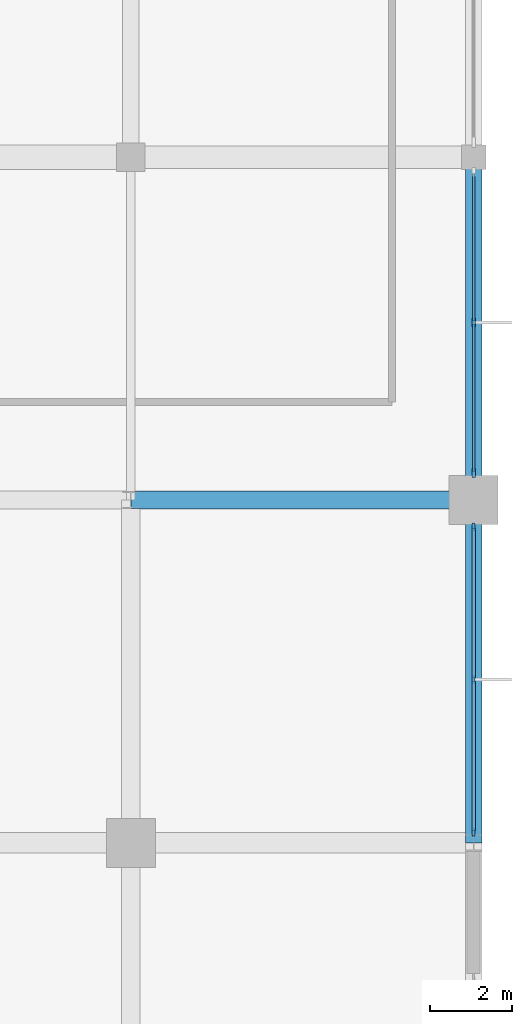
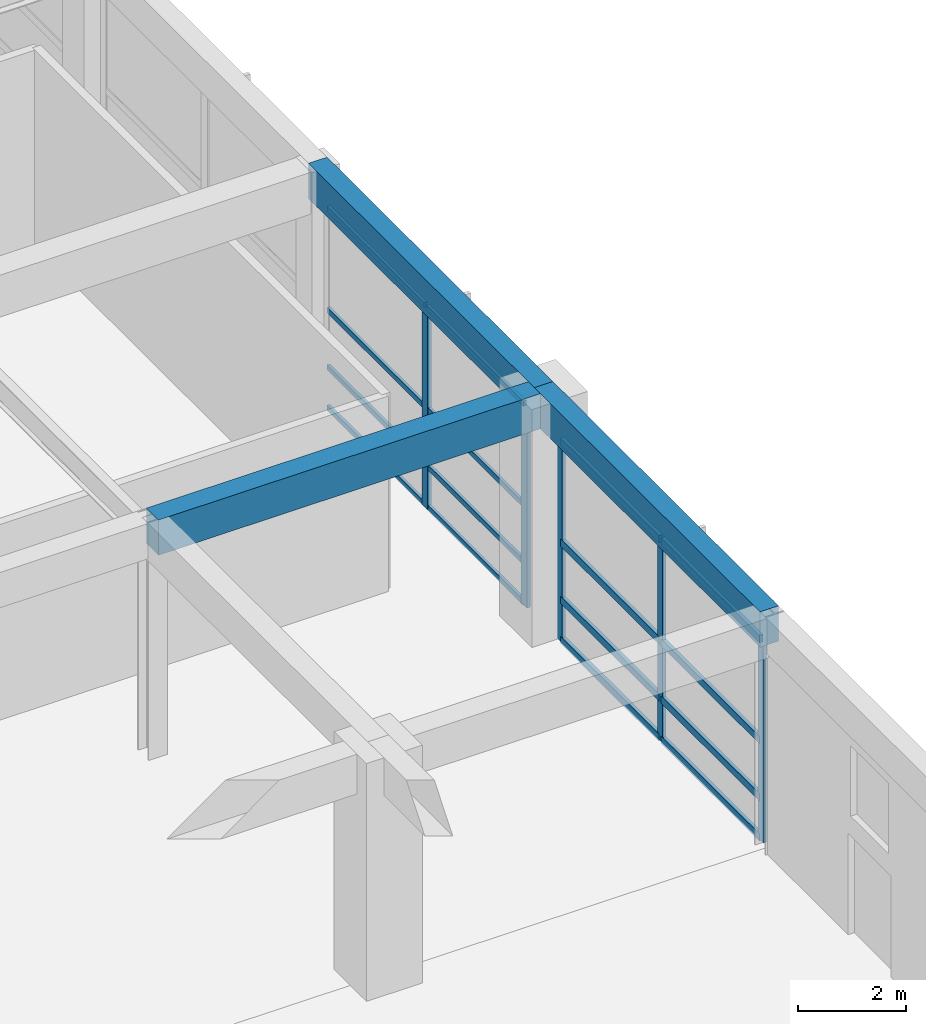
# One storey, part 33 of 62: 21 members, 3 beams, 2 elements without a shape of their own.
"""IFC4 building model written with IfcOpenShell, lengths in metres."""

from ifc_helpers import new_model, si_unit, direction, frame, origin, origin_2d, place, context, subcontext, project, spatial, rectangle, extrude, material, material_profile, profile_set, type_object, element, aggregate, save


model = new_model("IFC4")

# Units and contexts
model_context = context("Model", 3, precision=1e-05, world=origin(), true_north=direction((0.0, 1.0)))
body_context = subcontext(model_context, "Body", "Model", "MODEL_VIEW")
ifc_project = project(units=[si_unit("LENGTHUNIT", "METRE"), si_unit("AREAUNIT", "SQUARE_METRE"), si_unit("VOLUMEUNIT", "CUBIC_METRE"), si_unit("PLANEANGLEUNIT", "RADIAN"), si_unit("MASSUNIT", "GRAM", prefix="KILO")], contexts=[model_context])

# Site, building, storey
site_placement = place(None, origin())
site = spatial("IfcSite", under=ifc_project, at=site_placement, CompositionType="ELEMENT")
building_placement = place(site_placement, origin())
building = spatial("IfcBuilding", under=site, at=building_placement, Name="Xuanlan Plaza Opera House", CompositionType="ELEMENT")
storey_placement = place(building_placement, origin())
storey = spatial("IfcBuildingStorey", under=building, at=storey_placement, Name="L00", CompositionType="ELEMENT", Elevation=0.0)

# Curtain wall, members
ifc_material_1 = material(Name="Anodised Aluminium 6063-T6 and Low-E Glass", Category="aluminium")
curtain_wall_type_1 = type_object("IfcCurtainWallType", Name="ENV-CW-CW-04", PredefinedType="USERDEFINED", material=ifc_material_1)
curtain_wall_1_placement = place(storey_placement, origin())
curtain_wall_1 = element("IfcCurtainWall", 1, at=curtain_wall_1_placement, inside=storey, type_object=curtain_wall_type_1, Name="Unitised Curtain Wall L00-026", ObjectType="UNITISED CURTAIN WALL", PredefinedType="USERDEFINED")
ifc_material_2 = material(Name="Anodised Aluminium 6063-T6", Category="aluminium")
ifc_material_profile_1 = material_profile(ifc_material_2, rectangle(XDim=0.074951171875, YDim=0.199951171875, at=origin_2d()), Name="ALU-M 75x200")
ifc_profile_set_1 = profile_set([ifc_material_profile_1], Name="Anodised Aluminium 6063-T6")
member_type_1 = type_object("IfcMemberType", Name="ENV-CWM-03", PredefinedType="MULLION", material=ifc_profile_set_1)
member_1_placement = place(storey_placement, frame((168.0, 75.864501953125, 0.0), z_axis=(0.0, 0.0, 1.0), x_axis=(-1.0, 0.0, 0.0)))
member_1 = element("IfcMember", 2, at=member_1_placement, type_object=member_type_1, Name="CW-04 mullion 1", PredefinedType="MULLION", context=body_context, shape_type="SweptSolid", body=[
    extrude(rectangle(XDim=0.074951171875, YDim=0.199951171875, at=origin_2d()), origin(), (0.0, 0.0, 1.0), 4.580078125),
])
member_2_placement = place(storey_placement, frame((168.0, 79.603515625, 0.0), z_axis=(0.0, 0.0, 1.0), x_axis=(-1.0, 0.0, 0.0)))
member_2 = element("IfcMember", 3, at=member_2_placement, type_object=member_type_1, Name="CW-04 mullion 2", PredefinedType="MULLION", context=body_context, shape_type="SweptSolid", body=[
    extrude(rectangle(XDim=0.074951171875, YDim=0.199951171875, at=origin_2d()), origin(), (0.0, 0.0, 1.0), 4.580078125),
])
member_3_placement = place(storey_placement, frame((168.0, 83.342529296875, 0.0), z_axis=(0.0, 0.0, 1.0), x_axis=(-1.0, 0.0, 0.0)))
member_3 = element("IfcMember", 4, at=member_3_placement, type_object=member_type_1, Name="CW-04 mullion 3", PredefinedType="MULLION", context=body_context, shape_type="SweptSolid", body=[
    extrude(rectangle(XDim=0.074951171875, YDim=0.199951171875, at=origin_2d()), origin(), (0.0, 0.0, 1.0), 4.580078125),
])

curtain_wall_type_2 = type_object("IfcCurtainWallType", Name="ENV-CW-CW-01", PredefinedType="USERDEFINED", material=ifc_material_1)
curtain_wall_2_placement = place(storey_placement, origin())
curtain_wall_2 = element("IfcCurtainWall", 5, at=curtain_wall_2_placement, inside=storey, type_object=curtain_wall_type_2, Name="Unitised Curtain Wall L00-027", ObjectType="UNITISED CURTAIN WALL", PredefinedType="USERDEFINED")
ifc_material_profile_2 = material_profile(ifc_material_2, rectangle(XDim=0.080078125, YDim=0.219970703125, at=origin_2d()), Name="ALU-M 80x220")
ifc_profile_set_2 = profile_set([ifc_material_profile_2], Name="Anodised Aluminium 6063-T6")
member_type_2 = type_object("IfcMemberType", Name="ENV-CWM-04", PredefinedType="MULLION", material=ifc_profile_set_2)
member_4_placement = place(storey_placement, frame((168.0, 84.659912109375, 0.0), z_axis=(0.0, 0.0, 1.0), x_axis=(-1.0, 0.0, 0.0)))
member_4 = element("IfcMember", 6, at=member_4_placement, type_object=member_type_2, Name="CW-01 mullion 1", PredefinedType="MULLION", context=body_context, shape_type="SweptSolid", body=[
    extrude(rectangle(XDim=0.080078125, YDim=0.219970703125, at=origin_2d()), origin(), (0.0, 0.0, 1.0), 4.580078125),
])
member_5_placement = place(storey_placement, frame((168.0, 88.35009765625, 0.0), z_axis=(0.0, 0.0, 1.0), x_axis=(-1.0, 0.0, 0.0)))
member_5 = element("IfcMember", 7, at=member_5_placement, type_object=member_type_2, Name="CW-01 mullion 2", PredefinedType="MULLION", context=body_context, shape_type="SweptSolid", body=[
    extrude(rectangle(XDim=0.080078125, YDim=0.219970703125, at=origin_2d()), origin(), (0.0, 0.0, 1.0), 4.580078125),
])
ifc_material_profile_3 = material_profile(ifc_material_2, rectangle(XDim=0.06494140625, YDim=0.1201171875, at=origin_2d()), Name="ALU-T 65x120")
ifc_profile_set_3 = profile_set([ifc_material_profile_3], Name="Anodised Aluminium 6063-T6")
member_type_3 = type_object("IfcMemberType", Name="ENV-CWT-01", PredefinedType="USERDEFINED", material=ifc_profile_set_3)
member_6_placement = place(storey_placement, frame((168.0, 84.699951171875, 0.032470703125), z_axis=(0.0, 1.0, 0.0), x_axis=(-1.0, 0.0, 0.0)))
member_6 = element("IfcMember", 8, at=member_6_placement, type_object=member_type_3, Name="CW-01 transom 1.1", ObjectType="TRANSOM", PredefinedType="USERDEFINED", context=body_context, shape_type="SweptSolid", body=[
    extrude(rectangle(XDim=0.06494140625, YDim=0.1201171875, at=origin_2d()), origin(), (0.0, 0.0, 1.0), 3.610107421875),
])
member_7_placement = place(storey_placement, frame((168.0, 84.699951171875, 0.949951171875), z_axis=(0.0, 1.0, 0.0), x_axis=(-1.0, 0.0, 0.0)))
member_7 = element("IfcMember", 9, at=member_7_placement, type_object=member_type_3, Name="CW-01 transom 1.2", ObjectType="TRANSOM", PredefinedType="USERDEFINED", context=body_context, shape_type="SweptSolid", body=[
    extrude(rectangle(XDim=0.06494140625, YDim=0.1201171875, at=origin_2d()), origin(), (0.0, 0.0, 1.0), 3.610107421875),
])
member_8_placement = place(storey_placement, frame((168.0, 84.699951171875, 2.25), z_axis=(0.0, 1.0, 0.0), x_axis=(-1.0, 0.0, 0.0)))
member_8 = element("IfcMember", 10, at=member_8_placement, type_object=member_type_3, Name="CW-01 transom 1.3", ObjectType="TRANSOM", PredefinedType="USERDEFINED", context=body_context, shape_type="SweptSolid", body=[
    extrude(rectangle(XDim=0.06494140625, YDim=0.1201171875, at=origin_2d()), origin(), (0.0, 0.0, 1.0), 3.610107421875),
])
member_9_placement = place(storey_placement, frame((168.0, 84.699951171875, 4.547607421875), z_axis=(0.0, 1.0, 0.0), x_axis=(-1.0, 0.0, 0.0)))
member_9 = element("IfcMember", 11, at=member_9_placement, type_object=member_type_3, Name="CW-01 transom 1.4", ObjectType="TRANSOM", PredefinedType="USERDEFINED", context=body_context, shape_type="SweptSolid", body=[
    extrude(rectangle(XDim=0.06494140625, YDim=0.1201171875, at=origin_2d()), origin(), (0.0, 0.0, 1.0), 3.610107421875),
])
member_10_placement = place(storey_placement, frame((168.0, 88.389892578125, 0.032470703125), z_axis=(0.0, 1.0, 0.0), x_axis=(-1.0, 0.0, 0.0)))
member_10 = element("IfcMember", 12, at=member_10_placement, type_object=member_type_3, Name="CW-01 transom 2.1", ObjectType="TRANSOM", PredefinedType="USERDEFINED", context=body_context, shape_type="SweptSolid", body=[
    extrude(rectangle(XDim=0.06494140625, YDim=0.1201171875, at=origin_2d()), origin(), (0.0, 0.0, 1.0), 3.610107421875),
])
member_11_placement = place(storey_placement, frame((168.0, 88.389892578125, 0.949951171875), z_axis=(0.0, 1.0, 0.0), x_axis=(-1.0, 0.0, 0.0)))
member_11 = element("IfcMember", 13, at=member_11_placement, type_object=member_type_3, Name="CW-01 transom 2.2", ObjectType="TRANSOM", PredefinedType="USERDEFINED", context=body_context, shape_type="SweptSolid", body=[
    extrude(rectangle(XDim=0.06494140625, YDim=0.1201171875, at=origin_2d()), origin(), (0.0, 0.0, 1.0), 3.610107421875),
])
member_12_placement = place(storey_placement, frame((168.0, 88.389892578125, 2.25), z_axis=(0.0, 1.0, 0.0), x_axis=(-1.0, 0.0, 0.0)))
member_12 = element("IfcMember", 14, at=member_12_placement, type_object=member_type_3, Name="CW-01 transom 2.3", ObjectType="TRANSOM", PredefinedType="USERDEFINED", context=body_context, shape_type="SweptSolid", body=[
    extrude(rectangle(XDim=0.06494140625, YDim=0.1201171875, at=origin_2d()), origin(), (0.0, 0.0, 1.0), 3.610107421875),
])
member_13_placement = place(storey_placement, frame((168.0, 88.389892578125, 4.547607421875), z_axis=(0.0, 1.0, 0.0), x_axis=(-1.0, 0.0, 0.0)))
member_13 = element("IfcMember", 15, at=member_13_placement, type_object=member_type_3, Name="CW-01 transom 2.4", ObjectType="TRANSOM", PredefinedType="USERDEFINED", context=body_context, shape_type="SweptSolid", body=[
    extrude(rectangle(XDim=0.06494140625, YDim=0.1201171875, at=origin_2d()), origin(), (0.0, 0.0, 1.0), 3.610107421875),
])
aggregate(curtain_wall_2, [member_4, member_5, member_6, member_7, member_8, member_9, member_10, member_11, member_12, member_13])

# Member
ifc_material_profile_4 = material_profile(ifc_material_2, rectangle(XDim=0.080078125, YDim=0.1650390625, at=origin_2d()), Name="ALU-T 80x165")
ifc_profile_set_4 = profile_set([ifc_material_profile_4], Name="Anodised Aluminium 6063-T6")
member_type_4 = type_object("IfcMemberType", Name="ENV-CWT-04", PredefinedType="USERDEFINED", material=ifc_profile_set_4)
member_14_placement = place(storey_placement, frame((168.0, 75.902099609375, 0.0400390625), z_axis=(0.0, 1.0, 0.0), x_axis=(-1.0, 0.0, 0.0)))
member_14 = element("IfcMember", 16, at=member_14_placement, type_object=member_type_4, Name="CW-04 transom 1.1", ObjectType="TRANSOM", PredefinedType="USERDEFINED", context=body_context, shape_type="SweptSolid", body=[
    extrude(rectangle(XDim=0.080078125, YDim=0.1650390625, at=origin_2d()), origin(), (0.0, 0.0, 1.0), 3.663818359375),
])

member_15_placement = place(storey_placement, frame((168.0, 75.902099609375, 0.949951171875), z_axis=(0.0, 1.0, 0.0), x_axis=(-1.0, 0.0, 0.0)))
member_15 = element("IfcMember", 17, at=member_15_placement, type_object=member_type_4, Name="CW-04 transom 1.2", ObjectType="TRANSOM", PredefinedType="USERDEFINED", context=body_context, shape_type="SweptSolid", body=[
    extrude(rectangle(XDim=0.080078125, YDim=0.1650390625, at=origin_2d()), origin(), (0.0, 0.0, 1.0), 3.663818359375),
])

member_16_placement = place(storey_placement, frame((168.0, 75.902099609375, 2.25), z_axis=(0.0, 1.0, 0.0), x_axis=(-1.0, 0.0, 0.0)))
member_16 = element("IfcMember", 18, at=member_16_placement, type_object=member_type_4, Name="CW-04 transom 1.3", ObjectType="TRANSOM", PredefinedType="USERDEFINED", context=body_context, shape_type="SweptSolid", body=[
    extrude(rectangle(XDim=0.080078125, YDim=0.1650390625, at=origin_2d()), origin(), (0.0, 0.0, 1.0), 3.663818359375),
])

member_17_placement = place(storey_placement, frame((168.0, 75.902099609375, 4.5400390625), z_axis=(0.0, 1.0, 0.0), x_axis=(-1.0, 0.0, 0.0)))
member_17 = element("IfcMember", 19, at=member_17_placement, type_object=member_type_4, Name="CW-04 transom 1.4", ObjectType="TRANSOM", PredefinedType="USERDEFINED", context=body_context, shape_type="SweptSolid", body=[
    extrude(rectangle(XDim=0.080078125, YDim=0.1650390625, at=origin_2d()), origin(), (0.0, 0.0, 1.0), 3.663818359375),
])

member_18_placement = place(storey_placement, frame((168.0, 79.64111328125, 0.0400390625), z_axis=(0.0, 1.0, 0.0), x_axis=(-1.0, 0.0, 0.0)))
member_18 = element("IfcMember", 20, at=member_18_placement, type_object=member_type_4, Name="CW-04 transom 2.1", ObjectType="TRANSOM", PredefinedType="USERDEFINED", context=body_context, shape_type="SweptSolid", body=[
    extrude(rectangle(XDim=0.080078125, YDim=0.1650390625, at=origin_2d()), origin(), (0.0, 0.0, 1.0), 3.663818359375),
])

member_19_placement = place(storey_placement, frame((168.0, 79.64111328125, 0.949951171875), z_axis=(0.0, 1.0, 0.0), x_axis=(-1.0, 0.0, 0.0)))
member_19 = element("IfcMember", 21, at=member_19_placement, type_object=member_type_4, Name="CW-04 transom 2.2", ObjectType="TRANSOM", PredefinedType="USERDEFINED", context=body_context, shape_type="SweptSolid", body=[
    extrude(rectangle(XDim=0.080078125, YDim=0.1650390625, at=origin_2d()), origin(), (0.0, 0.0, 1.0), 3.663818359375),
])

member_20_placement = place(storey_placement, frame((168.0, 79.64111328125, 2.25), z_axis=(0.0, 1.0, 0.0), x_axis=(-1.0, 0.0, 0.0)))
member_20 = element("IfcMember", 22, at=member_20_placement, type_object=member_type_4, Name="CW-04 transom 2.3", ObjectType="TRANSOM", PredefinedType="USERDEFINED", context=body_context, shape_type="SweptSolid", body=[
    extrude(rectangle(XDim=0.080078125, YDim=0.1650390625, at=origin_2d()), origin(), (0.0, 0.0, 1.0), 3.663818359375),
])

member_21_placement = place(storey_placement, frame((168.0, 79.64111328125, 4.5400390625), z_axis=(0.0, 1.0, 0.0), x_axis=(-1.0, 0.0, 0.0)))
member_21 = element("IfcMember", 23, at=member_21_placement, type_object=member_type_4, Name="CW-04 transom 2.4", ObjectType="TRANSOM", PredefinedType="USERDEFINED", context=body_context, shape_type="SweptSolid", body=[
    extrude(rectangle(XDim=0.080078125, YDim=0.1650390625, at=origin_2d()), origin(), (0.0, 0.0, 1.0), 3.663818359375),
])

aggregate(curtain_wall_1, [member_1, member_2, member_3, member_14, member_15, member_16, member_17, member_18, member_19, member_20, member_21])

# Beams
ifc_material_3 = material(Name="Concrete C40", Category="concrete")
ifc_material_profile_5 = material_profile(ifc_material_3, rectangle(XDim=0.449951171875, YDim=0.800048828125, at=origin_2d()), Name="RC-BM 450x800")
ifc_profile_set_5 = profile_set([ifc_material_profile_5], Name="Concrete C40")
beam_type_1 = type_object("IfcBeamType", Name="STR-BM-B-05", PredefinedType="BEAM", material=ifc_profile_set_5)
beam_placement = place(storey_placement, frame((159.60009765625, 84.0, 5.0), z_axis=(1.0, 0.0, 0.0), x_axis=(0.0, 1.0, 0.0)))
element("IfcBeam", 24, at=beam_placement, inside=storey, type_object=beam_type_1, Name="Grid Beam X L00 20-21/K", PredefinedType="BEAM", context=body_context, shape_type="SweptSolid", body=[
    extrude(rectangle(XDim=0.449951171875, YDim=0.800048828125, at=origin_2d()), origin(), (0.0, 0.0, 1.0), 8.39990234375),
])
ifc_material_profile_6 = material_profile(ifc_material_3, rectangle(XDim=0.39990234375, YDim=0.800048828125, at=origin_2d()), Name="RC-SPD 400x800")
ifc_profile_set_6 = profile_set([ifc_material_profile_6], Name="Concrete C40")
beam_type_2 = type_object("IfcBeamType", Name="STR-BM-SP-01", PredefinedType="SPANDREL", material=ifc_profile_set_6)
for number, where, z_axis, x_axis, name in (
    (25, (168.0, 75.60009765625, 5.0), (0.0, 1.0, 0.0), (-1.0, 0.0, 0.0), "Grid Beam Y L00 21/J-K"),
    (26, (168.0, 84.0, 5.0), (0.0, 1.0, 0.0), (-1.0, 0.0, 0.0), "Grid Beam Y L00 21/K-L"),
):
    element("IfcBeam", number, at=place(storey_placement, frame(where, z_axis=z_axis, x_axis=x_axis)), inside=storey, type_object=beam_type_2, Name=name, PredefinedType="SPANDREL", context=body_context, shape_type="SweptSolid", body=[
        extrude(rectangle(XDim=0.39990234375, YDim=0.800048828125, at=origin_2d()), origin(), (0.0, 0.0, 1.0), 8.39990234375),
    ])

save(model, "model.ifc")
